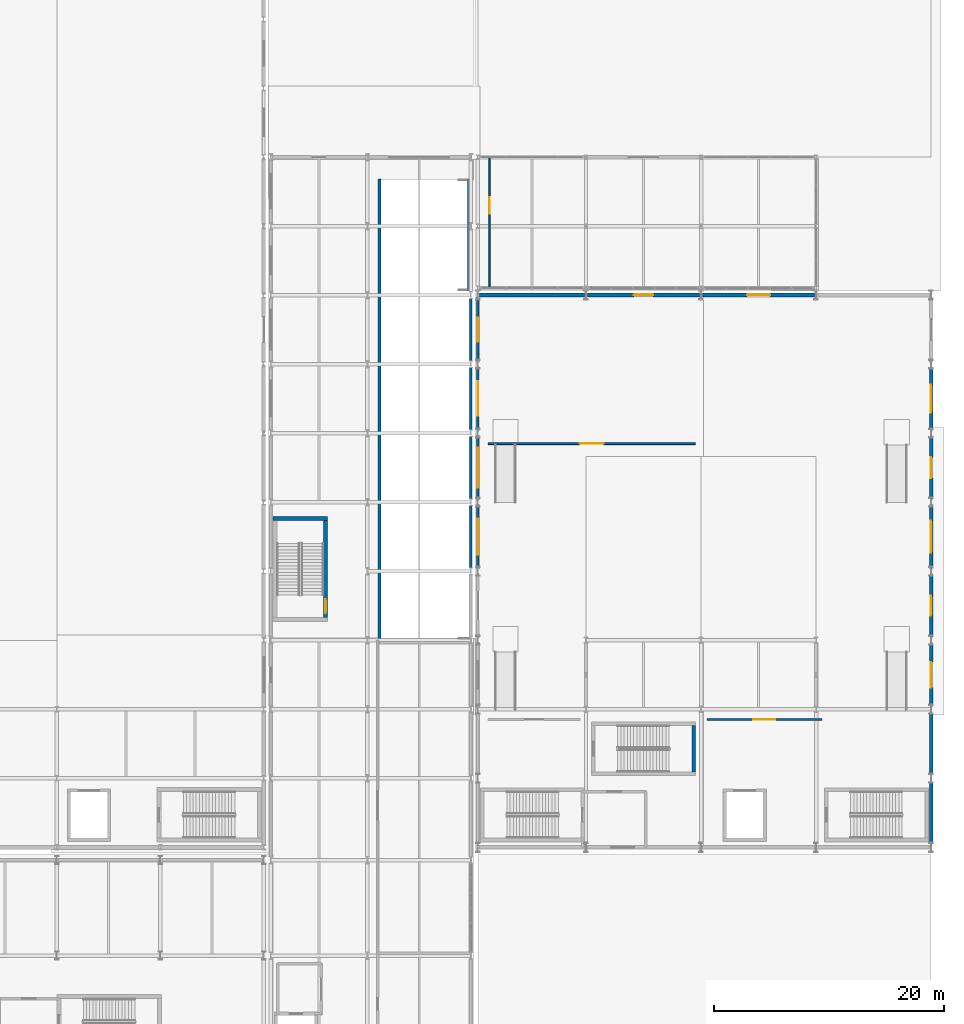
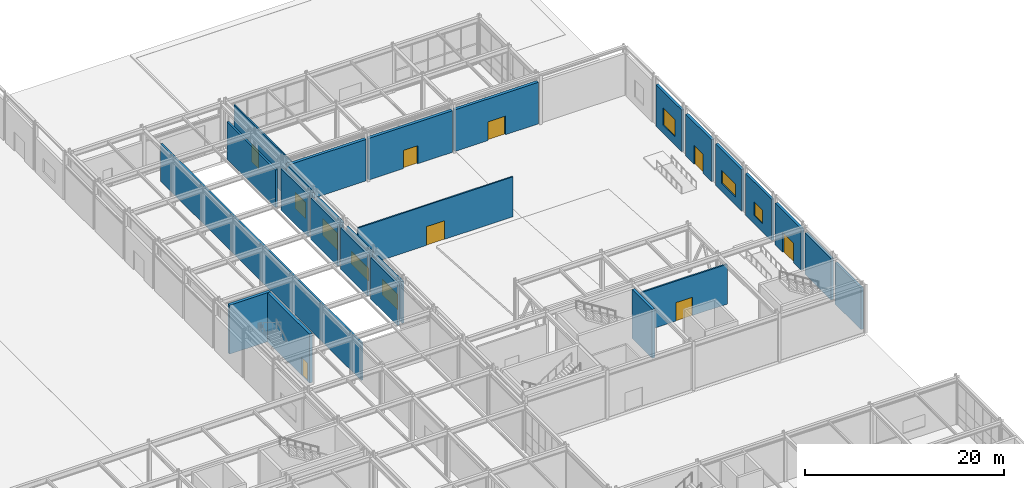
# One storey, part 126 of 146: 26 walls, 8 doors, 7 windows, 15 openings.
"""IFC4 building model written with IfcOpenShell, lengths in metres."""

from ifc_helpers import new_model, si_unit, direction, frame, frame_2d, origin, place, context, subcontext, project, spatial, rectangle, extrude, material, layer, layer_set, type_object, element, fill, save


model = new_model("IFC4")

# Units and contexts
model_context = context("Model", 3, precision=1e-05, world=origin(), true_north=direction((0.0, 1.0)))
body_context = subcontext(model_context, "Body", "Model", "MODEL_VIEW")
ifc_project = project(units=[si_unit("LENGTHUNIT", "METRE"), si_unit("AREAUNIT", "SQUARE_METRE"), si_unit("VOLUMEUNIT", "CUBIC_METRE"), si_unit("PLANEANGLEUNIT", "RADIAN"), si_unit("MASSUNIT", "GRAM", prefix="KILO")], contexts=[model_context])

# Site, building, storey
site_placement = place(None, origin())
site = spatial("IfcSite", under=ifc_project, at=site_placement, CompositionType="ELEMENT")
building_placement = place(site_placement, origin())
building = spatial("IfcBuilding", under=site, at=building_placement, Name="Kaldris Quays Convention Centre", CompositionType="ELEMENT")
storey_placement = place(building_placement, origin())
storey = spatial("IfcBuildingStorey", under=building, at=storey_placement, Name="L00", CompositionType="ELEMENT", Elevation=0.0)

# Wall
ifc_material_1 = material(Name="Concrete C35/45", Category="concrete")
ifc_layer_1 = layer(ifc_material_1, 0.344970703125)
ifc_layer_set_1 = layer_set([ifc_layer_1], Name="Concrete C35/45")
wall_type_1 = type_object("IfcWallType", Name="EXTERIOR WALL EW01", PredefinedType="STANDARD", material=ifc_layer_set_1)
wall_1_placement = place(storey_placement, frame((164.74609375, 104.0, 0.0), z_axis=(0.0, 0.0, 1.0), x_axis=(1.0, 0.0, 0.0)))
element("IfcWall", 1, at=wall_1_placement, inside=storey, type_object=wall_type_1, Name="L00 Exterior Wall EW01 93", PredefinedType="STANDARD", context=body_context, shape_type="SweptSolid", body=[
    extrude(rectangle(XDim=9.10791015625, YDim=0.344970703125, at=frame_2d((4.553955078125, 0.0))), origin(), (0.0, 0.0, 1.0), 5.10009765625),
])

# Wall, opening, door
wall_2_placement = place(storey_placement, frame((174.14599609375, 104.0, 0.0), z_axis=(0.0, 0.0, 1.0), x_axis=(1.0, 0.0, 0.0)))
wall_2 = element("IfcWall", 2, at=wall_2_placement, inside=storey, type_object=wall_type_1, Name="L00 Exterior Wall EW01 95", PredefinedType="STANDARD", context=body_context, shape_type="SweptSolid", body=[
    extrude(rectangle(XDim=9.7080078125, YDim=0.344970703125, at=frame_2d((4.85400390625, 0.0))), origin(), (0.0, 0.0, 1.0), 5.10009765625),
])
opening_1_placement = place(wall_2_placement, frame((4.013916015625, 0.0, 0.0)))
opening_1 = element("IfcOpeningElement", 3, at=opening_1_placement, cuts=wall_2, Name="Opening ED10", PredefinedType="OPENING", context=body_context, shape_type="SweptSolid", body=[
    extrude(rectangle(XDim=1.679931640625, YDim=2.219970703125, at=frame_2d((0.83984375, 1.10986328125))), frame((0.0, 0.1826171875, 0.0), z_axis=(0.0, -1.0, 0.0), x_axis=(1.0, 0.0, 0.0)), (0.0, 0.0, 1.0), 0.364990234375),
])
ifc_material_2 = material(Name="Thermally broken anodized aluminium and laminated safety glass", Category="aluminium")
door_type_1 = type_object("IfcDoorType", Name="EXTERIOR DOOR ED10", OperationType="DOUBLE_DOOR_SINGLE_SWING", PredefinedType="DOOR", material=ifc_material_2)
door_1_placement = place(opening_1_placement, origin())
door_1 = element("IfcDoor", 4, at=door_1_placement, inside=storey, type_object=door_type_1, Name="L00 Exterior Exit Door ED10 23", OperationType="DOUBLE_DOOR_SINGLE_SWING", OverallHeight=2.219970703125, OverallWidth=1.679931640625, PredefinedType="DOOR", context=body_context, shape_type="SweptSolid", body=[
    extrude(rectangle(XDim=1.679931640625, YDim=2.219970703125, at=frame_2d((0.83984375, 1.10986328125))), frame((0.0, 0.02490234375, 0.0), z_axis=(0.0, -1.0, 0.0), x_axis=(1.0, 0.0, 0.0)), (0.0, 0.0, 1.0), 0.050048828125),
])
fill(opening_1, door_1)

wall_3_placement = place(storey_placement, frame((184.14599609375, 104.0, 0.0), z_axis=(0.0, 0.0, 1.0), x_axis=(1.0, 0.0, 0.0)))
wall_3 = element("IfcWall", 5, at=wall_3_placement, inside=storey, type_object=wall_type_1, Name="L00 Exterior Wall EW01 97", PredefinedType="STANDARD", context=body_context, shape_type="SweptSolid", body=[
    extrude(rectangle(XDim=9.7080078125, YDim=0.344970703125, at=frame_2d((4.85400390625, 0.0))), origin(), (0.0, 0.0, 1.0), 5.10009765625),
])
opening_2_placement = place(wall_3_placement, frame((3.85400390625, 0.0, 0.0)))
opening_2 = element("IfcOpeningElement", 6, at=opening_2_placement, cuts=wall_3, Name="Opening ED01", PredefinedType="OPENING", context=body_context, shape_type="SweptSolid", body=[
    extrude(rectangle(XDim=2.0, YDim=2.300048828125, at=frame_2d((1.0, 1.14990234375))), frame((0.0, 0.1826171875, 0.0), z_axis=(0.0, -1.0, 0.0), x_axis=(1.0, 0.0, 0.0)), (0.0, 0.0, 1.0), 0.364990234375),
])
door_type_2 = type_object("IfcDoorType", Name="EXTERIOR DOOR ED01", OperationType="DOUBLE_DOOR_SINGLE_SWING", PredefinedType="DOOR", material=ifc_material_2)
door_2_placement = place(opening_2_placement, origin())
door_2 = element("IfcDoor", 7, at=door_2_placement, inside=storey, type_object=door_type_2, Name="L00 Exterior Exit Door ED01 24", OperationType="DOUBLE_DOOR_SINGLE_SWING", OverallHeight=2.300048828125, OverallWidth=2.0, PredefinedType="DOOR", context=body_context, shape_type="SweptSolid", body=[
    extrude(rectangle(XDim=2.0, YDim=2.300048828125, at=frame_2d((1.0, 1.14990234375))), frame((0.0, 0.02490234375, 0.0), z_axis=(0.0, -1.0, 0.0), x_axis=(1.0, 0.0, 0.0)), (0.0, 0.0, 1.0), 0.050048828125),
])
fill(opening_2, door_2)

ifc_layer_2 = layer(ifc_material_1, 0.31201171875)
ifc_layer_set_2 = layer_set([ifc_layer_2], Name="Concrete C35/45")
wall_type_2 = type_object("IfcWallType", Name="EXTERIOR WALL EW02", PredefinedType="STANDARD", material=ifc_layer_set_2)
wall_4_placement = place(storey_placement, frame((204.0, 68.39599609375, 0.0), z_axis=(0.0, 0.0, 1.0), x_axis=(0.0, 1.0, 0.0)))
wall_4 = element("IfcWall", 8, at=wall_4_placement, inside=storey, type_object=wall_type_2, Name="L00 Exterior Wall EW02 104", PredefinedType="STANDARD", context=body_context, shape_type="SweptSolid", body=[
    extrude(rectangle(XDim=5.2080078125, YDim=0.31201171875, at=frame_2d((2.60400390625, 0.0))), origin(), (0.0, 0.0, 1.0), 5.10009765625),
])
opening_3_placement = place(wall_4_placement, frame((1.50390625, 0.0, 0.0)))
opening_3 = element("IfcOpeningElement", 9, at=opening_3_placement, cuts=wall_4, Name="Opening ED02", PredefinedType="OPENING", context=body_context, shape_type="SweptSolid", body=[
    extrude(rectangle(XDim=2.199951171875, YDim=2.39990234375, at=frame_2d((1.10009765625, 1.199951171875))), frame((0.0, 0.166015625, 0.0), z_axis=(0.0, -1.0, 0.0), x_axis=(1.0, 0.0, 0.0)), (0.0, 0.0, 1.0), 0.33203125),
])
door_type_3 = type_object("IfcDoorType", Name="EXTERIOR DOOR ED02", OperationType="DOUBLE_DOOR_SINGLE_SWING", PredefinedType="DOOR", material=ifc_material_2)
door_3_placement = place(opening_3_placement, frame((2.199951171875, 0.0, 0.0), z_axis=(0.0, 0.0, 1.0), x_axis=(-1.0, 0.0, 0.0)))
door_3 = element("IfcDoor", 10, at=door_3_placement, inside=storey, type_object=door_type_3, Name="L00 Exterior Exit Door ED02 25", OperationType="DOUBLE_DOOR_SINGLE_SWING", OverallHeight=2.39990234375, OverallWidth=2.199951171875, PredefinedType="DOOR", context=body_context, shape_type="SweptSolid", body=[
    extrude(rectangle(XDim=2.199951171875, YDim=2.39990234375, at=frame_2d((1.10009765625, 1.199951171875))), frame((0.0, 0.02490234375, 0.0), z_axis=(0.0, -1.0, 0.0), x_axis=(1.0, 0.0, 0.0)), (0.0, 0.0, 1.0), 0.050048828125),
])
fill(opening_3, door_3)

wall_5_placement = place(storey_placement, frame((204.0, 86.39599609375, 0.0), z_axis=(0.0, 0.0, 1.0), x_axis=(0.0, 1.0, 0.0)))
wall_5 = element("IfcWall", 11, at=wall_5_placement, inside=storey, type_object=wall_type_2, Name="L00 Exterior Wall EW02 110", PredefinedType="STANDARD", context=body_context, shape_type="SweptSolid", body=[
    extrude(rectangle(XDim=5.2080078125, YDim=0.31201171875, at=frame_2d((2.60400390625, 0.0))), origin(), (0.0, 0.0, 1.0), 5.10009765625),
])
opening_4_placement = place(wall_5_placement, frame((1.7041015625, 0.0, 0.0)))
opening_4 = element("IfcOpeningElement", 12, at=opening_4_placement, cuts=wall_5, Name="Opening ED04", PredefinedType="OPENING", context=body_context, shape_type="SweptSolid", body=[
    extrude(rectangle(XDim=1.800048828125, YDim=2.300048828125, at=frame_2d((0.89990234375, 1.14990234375))), frame((0.0, 0.166015625, 0.0), z_axis=(0.0, -1.0, 0.0), x_axis=(1.0, 0.0, 0.0)), (0.0, 0.0, 1.0), 0.33203125),
])
door_type_4 = type_object("IfcDoorType", Name="EXTERIOR DOOR ED04", OperationType="DOUBLE_DOOR_SINGLE_SWING", PredefinedType="DOOR", material=ifc_material_2)
door_4_placement = place(opening_4_placement, frame((1.800048828125, 0.0, 0.0), z_axis=(0.0, 0.0, 1.0), x_axis=(-1.0, 0.0, 0.0)))
door_4 = element("IfcDoor", 13, at=door_4_placement, inside=storey, type_object=door_type_4, Name="L00 Exterior Exit Door ED04 27", OperationType="DOUBLE_DOOR_SINGLE_SWING", OverallHeight=2.300048828125, OverallWidth=1.800048828125, PredefinedType="DOOR", context=body_context, shape_type="SweptSolid", body=[
    extrude(rectangle(XDim=1.800048828125, YDim=2.300048828125, at=frame_2d((0.89990234375, 1.14990234375))), frame((0.0, 0.02490234375, 0.0), z_axis=(0.0, -1.0, 0.0), x_axis=(1.0, 0.0, 0.0)), (0.0, 0.0, 1.0), 0.050048828125),
])
fill(opening_4, door_4)

# Walls
ifc_material_3 = material(Name="Precast concrete C40/50", Category="concrete")
ifc_layer_3 = layer(ifc_material_3, 0.2880859375)
ifc_layer_set_3 = layer_set([ifc_layer_3], Name="Precast concrete C40/50")
wall_type_3 = type_object("IfcWallType", Name="EXTERIOR WALL EW03", PredefinedType="STANDARD", material=ifc_layer_set_3)
for number, where, z_axis, x_axis, name in (
    (14, (204.0, 56.39599609375, 0.0), (0.0, 0.0, 1.0), (0.0, 1.0, 0.0), "L00 Exterior Wall EW03 100"),
    (15, (204.0, 62.39599609375, 0.0), (0.0, 0.0, 1.0), (0.0, 1.0, 0.0), "L00 Exterior Wall EW03 102"),
):
    element("IfcWall", number, at=place(storey_placement, frame(where, z_axis=z_axis, x_axis=x_axis)), inside=storey, type_object=wall_type_3, Name=name, PredefinedType="STANDARD", context=body_context, shape_type="SweptSolid", body=[
        extrude(rectangle(XDim=5.2080078125, YDim=0.2880859375, at=frame_2d((2.60400390625, 0.0))), origin(), (0.0, 0.0, 1.0), 5.10009765625),
    ])

# Wall, opening, window
wall_6_placement = place(storey_placement, frame((204.0, 74.39599609375, 0.0), z_axis=(0.0, 0.0, 1.0), x_axis=(0.0, 1.0, 0.0)))
wall_6 = element("IfcWall", 16, at=wall_6_placement, inside=storey, type_object=wall_type_3, Name="L00 Exterior Wall EW03 106", PredefinedType="STANDARD", context=body_context, shape_type="SweptSolid", body=[
    extrude(rectangle(XDim=5.2080078125, YDim=0.2880859375, at=frame_2d((2.60400390625, 0.0))), origin(), (0.0, 0.0, 1.0), 5.10009765625),
])
opening_5_placement = place(wall_6_placement, frame((1.72900390625, 0.0, 1.0)))
opening_5 = element("IfcOpeningElement", 17, at=opening_5_placement, cuts=wall_6, Name="Opening WN30", PredefinedType="OPENING", context=body_context, shape_type="SweptSolid", body=[
    extrude(rectangle(XDim=1.75, YDim=1.699951171875, at=frame_2d((0.875, 0.85009765625))), frame((0.0, 0.154052734375, 0.0), z_axis=(0.0, -1.0, 0.0), x_axis=(1.0, 0.0, 0.0)), (0.0, 0.0, 1.0), 0.30810546875),
])
ifc_material_4 = material(Name="Triple low-E insulated glazing", Category="glass")
window_type_1 = type_object("IfcWindowType", Name="TRIPLE GLAZED WINDOW WN30", PartitioningType="SINGLE_PANEL", PredefinedType="WINDOW", material=ifc_material_4)
window_1_placement = place(opening_5_placement, origin())
window_1 = element("IfcWindow", 18, at=window_1_placement, inside=storey, type_object=window_type_1, Name="L00 Exterior Window WN30 28", OverallHeight=1.699951171875, OverallWidth=1.75, PartitioningType="SINGLE_PANEL", PredefinedType="WINDOW", context=body_context, shape_type="SweptSolid", body=[
    extrude(rectangle(XDim=1.75, YDim=1.699951171875, at=frame_2d((0.875, 0.85009765625))), frame((0.0, 0.030029296875, 0.0), z_axis=(0.0, -1.0, 0.0), x_axis=(1.0, 0.0, 0.0)), (0.0, 0.0, 1.0), 0.06005859375),
])
fill(opening_5, window_1)

wall_7_placement = place(storey_placement, frame((204.0, 80.39599609375, 0.0), z_axis=(0.0, 0.0, 1.0), x_axis=(0.0, 1.0, 0.0)))
wall_7 = element("IfcWall", 19, at=wall_7_placement, inside=storey, type_object=wall_type_3, Name="L00 Exterior Wall EW03 108", PredefinedType="STANDARD", context=body_context, shape_type="SweptSolid", body=[
    extrude(rectangle(XDim=5.2080078125, YDim=0.2880859375, at=frame_2d((2.60400390625, 0.0))), origin(), (0.0, 0.0, 1.0), 5.10009765625),
])
opening_6_placement = place(wall_7_placement, frame((1.2041015625, 0.0, 1.0)))
opening_6 = element("IfcOpeningElement", 20, at=opening_6_placement, cuts=wall_7, Name="Opening WN32", PredefinedType="OPENING", context=body_context, shape_type="SweptSolid", body=[
    extrude(rectangle(XDim=2.800048828125, YDim=1.60009765625, at=frame_2d((1.39990234375, 0.800048828125))), frame((0.0, 0.154052734375, 0.0), z_axis=(0.0, -1.0, 0.0), x_axis=(1.0, 0.0, 0.0)), (0.0, 0.0, 1.0), 0.30810546875),
])
window_type_2 = type_object("IfcWindowType", Name="TRIPLE GLAZED WINDOW WN32", PartitioningType="SINGLE_PANEL", PredefinedType="WINDOW", material=ifc_material_4)
window_2_placement = place(opening_6_placement, origin())
window_2 = element("IfcWindow", 21, at=window_2_placement, inside=storey, type_object=window_type_2, Name="L00 Exterior Window WN32 30", OverallHeight=1.60009765625, OverallWidth=2.800048828125, PartitioningType="SINGLE_PANEL", PredefinedType="WINDOW", context=body_context, shape_type="SweptSolid", body=[
    extrude(rectangle(XDim=2.800048828125, YDim=1.60009765625, at=frame_2d((1.39990234375, 0.800048828125))), frame((0.0, 0.030029296875, 0.0), z_axis=(0.0, -1.0, 0.0), x_axis=(1.0, 0.0, 0.0)), (0.0, 0.0, 1.0), 0.06005859375),
])
fill(opening_6, window_2)

wall_8_placement = place(storey_placement, frame((204.0, 92.39599609375, 0.0), z_axis=(0.0, 0.0, 1.0), x_axis=(0.0, 1.0, 0.0)))
wall_8 = element("IfcWall", 22, at=wall_8_placement, inside=storey, type_object=wall_type_3, Name="L00 Exterior Wall EW03 112", PredefinedType="STANDARD", context=body_context, shape_type="SweptSolid", body=[
    extrude(rectangle(XDim=5.2080078125, YDim=0.2880859375, at=frame_2d((2.60400390625, 0.0))), origin(), (0.0, 0.0, 1.0), 5.10009765625),
])
opening_7_placement = place(wall_8_placement, frame((1.404052734375, 0.0, 1.0)))
opening_7 = element("IfcOpeningElement", 23, at=opening_7_placement, cuts=wall_8, Name="Opening WN01", PredefinedType="OPENING", context=body_context, shape_type="SweptSolid", body=[
    extrude(rectangle(XDim=2.39990234375, YDim=2.10009765625, at=frame_2d((1.199951171875, 1.050048828125))), frame((0.0, 0.154052734375, 0.0), z_axis=(0.0, -1.0, 0.0), x_axis=(1.0, 0.0, 0.0)), (0.0, 0.0, 1.0), 0.30810546875),
])
window_type_3 = type_object("IfcWindowType", Name="TRIPLE GLAZED WINDOW WN01", PartitioningType="SINGLE_PANEL", PredefinedType="WINDOW", material=ifc_material_4)
window_3_placement = place(opening_7_placement, origin())
window_3 = element("IfcWindow", 24, at=window_3_placement, inside=storey, type_object=window_type_3, Name="L00 Exterior Window WN01 33", OverallHeight=2.10009765625, OverallWidth=2.39990234375, PartitioningType="SINGLE_PANEL", PredefinedType="WINDOW", context=body_context, shape_type="SweptSolid", body=[
    extrude(rectangle(XDim=2.39990234375, YDim=2.10009765625, at=frame_2d((1.199951171875, 1.050048828125))), frame((0.0, 0.030029296875, 0.0), z_axis=(0.0, -1.0, 0.0), x_axis=(1.0, 0.0, 0.0)), (0.0, 0.0, 1.0), 0.06005859375),
])
fill(opening_7, window_3)

# Walls
ifc_material_5 = material(Name="Anodized aluminium insulated cassette", Category="aluminium")
ifc_layer_4 = layer(ifc_material_5, 0.221923828125)
ifc_layer_set_4 = layer_set([ifc_layer_4], Name="Anodized aluminium insulated cassette")
wall_type_4 = type_object("IfcWallType", Name="EXTERIOR WALL EW06", PredefinedType="STANDARD", material=ifc_layer_set_4)
for number, where, z_axis, x_axis, name in (
    (25, (164.0, 80.2958984375, 0.0), (0.0, 0.0, 1.0), (0.0, 1.0, 0.0), "L00 Exterior Wall EW06 277"),
    (26, (164.0, 86.2958984375, 0.0), (0.0, 0.0, 1.0), (0.0, 1.0, 0.0), "L00 Exterior Wall EW06 279"),
    (27, (164.0, 92.2958984375, 0.0), (0.0, 0.0, 1.0), (0.0, 1.0, 0.0), "L00 Exterior Wall EW06 281"),
    (28, (164.0, 98.2958984375, 0.0), (0.0, 0.0, 1.0), (0.0, 1.0, 0.0), "L00 Exterior Wall EW06 283"),
):
    element("IfcWall", number, at=place(storey_placement, frame(where, z_axis=z_axis, x_axis=x_axis)), inside=storey, type_object=wall_type_4, Name=name, PredefinedType="STANDARD", context=body_context, shape_type="SweptSolid", body=[
        extrude(rectangle(XDim=5.408203125, YDim=0.221923828125, at=frame_2d((2.7041015625, 0.0))), origin(), (0.0, 0.0, 1.0), 5.097900390625),
    ])

# Wall, opening, window
ifc_layer_5 = layer(ifc_material_5, 0.201904296875)
ifc_layer_set_5 = layer_set([ifc_layer_5], Name="Anodized aluminium insulated cassette")
wall_type_5 = type_object("IfcWallType", Name="EXTERIOR WALL EW07", PredefinedType="STANDARD", material=ifc_layer_set_5)
wall_9_placement = place(storey_placement, frame((164.60009765625, 80.39599609375, 0.0), z_axis=(0.0, 0.0, 1.0), x_axis=(0.0, 1.0, 0.0)))
wall_9 = element("IfcWall", 29, at=wall_9_placement, inside=storey, type_object=wall_type_5, Name="L00 Exterior Wall EW07 109", PredefinedType="STANDARD", context=body_context, shape_type="SweptSolid", body=[
    extrude(rectangle(XDim=5.2080078125, YDim=0.201904296875, at=frame_2d((2.60400390625, 0.0))), origin(), (0.0, 0.0, 1.0), 5.10009765625),
])
opening_8_placement = place(wall_9_placement, frame((1.053955078125, 0.0, 1.0)))
opening_8 = element("IfcOpeningElement", 30, at=opening_8_placement, cuts=wall_9, Name="Opening WN33", PredefinedType="OPENING", context=body_context, shape_type="SweptSolid", body=[
    extrude(rectangle(XDim=3.10009765625, YDim=1.89990234375, at=frame_2d((1.550048828125, 0.949951171875))), frame((0.0, 0.11083984375, 0.0), z_axis=(0.0, -1.0, 0.0), x_axis=(1.0, 0.0, 0.0)), (0.0, 0.0, 1.0), 0.221923828125),
])
window_type_4 = type_object("IfcWindowType", Name="TRIPLE GLAZED WINDOW WN33", PartitioningType="SINGLE_PANEL", PredefinedType="WINDOW", material=ifc_material_4)
window_4_placement = place(opening_8_placement, origin())
window_4 = element("IfcWindow", 31, at=window_4_placement, inside=storey, type_object=window_type_4, Name="L00 Exterior Window WN33 31", OverallHeight=1.89990234375, OverallWidth=3.10009765625, PartitioningType="SINGLE_PANEL", PredefinedType="WINDOW", context=body_context, shape_type="SweptSolid", body=[
    extrude(rectangle(XDim=3.10009765625, YDim=1.89990234375, at=frame_2d((1.550048828125, 0.949951171875))), frame((0.0, 0.030029296875, 0.0), z_axis=(0.0, -1.0, 0.0), x_axis=(1.0, 0.0, 0.0)), (0.0, 0.0, 1.0), 0.06005859375),
])
fill(opening_8, window_4)

wall_10_placement = place(storey_placement, frame((164.60009765625, 86.39599609375, 0.0), z_axis=(0.0, 0.0, 1.0), x_axis=(0.0, 1.0, 0.0)))
wall_10 = element("IfcWall", 32, at=wall_10_placement, inside=storey, type_object=wall_type_5, Name="L00 Exterior Wall EW07 111", PredefinedType="STANDARD", context=body_context, shape_type="SweptSolid", body=[
    extrude(rectangle(XDim=5.2080078125, YDim=0.201904296875, at=frame_2d((2.60400390625, 0.0))), origin(), (0.0, 0.0, 1.0), 5.10009765625),
])
opening_9_placement = place(wall_10_placement, frame((0.85400390625, 0.0, 1.0)))
opening_9 = element("IfcOpeningElement", 33, at=opening_9_placement, cuts=wall_10, Name="Opening WN34", PredefinedType="OPENING", context=body_context, shape_type="SweptSolid", body=[
    extrude(rectangle(XDim=3.5, YDim=1.550048828125, at=frame_2d((1.75, 0.77490234375))), frame((0.0, 0.11083984375, 0.0), z_axis=(0.0, -1.0, 0.0), x_axis=(1.0, 0.0, 0.0)), (0.0, 0.0, 1.0), 0.221923828125),
])
window_type_5 = type_object("IfcWindowType", Name="TRIPLE GLAZED WINDOW WN34", PartitioningType="SINGLE_PANEL", PredefinedType="WINDOW", material=ifc_material_4)
window_5_placement = place(opening_9_placement, origin())
window_5 = element("IfcWindow", 34, at=window_5_placement, inside=storey, type_object=window_type_5, Name="L00 Exterior Window WN34 32", OverallHeight=1.550048828125, OverallWidth=3.5, PartitioningType="SINGLE_PANEL", PredefinedType="WINDOW", context=body_context, shape_type="SweptSolid", body=[
    extrude(rectangle(XDim=3.5, YDim=1.550048828125, at=frame_2d((1.75, 0.77490234375))), frame((0.0, 0.030029296875, 0.0), z_axis=(0.0, -1.0, 0.0), x_axis=(1.0, 0.0, 0.0)), (0.0, 0.0, 1.0), 0.06005859375),
])
fill(opening_9, window_5)

wall_11_placement = place(storey_placement, frame((164.60009765625, 92.39599609375, 0.0), z_axis=(0.0, 0.0, 1.0), x_axis=(0.0, 1.0, 0.0)))
wall_11 = element("IfcWall", 35, at=wall_11_placement, inside=storey, type_object=wall_type_5, Name="L00 Exterior Wall EW07 113", PredefinedType="STANDARD", context=body_context, shape_type="SweptSolid", body=[
    extrude(rectangle(XDim=5.2080078125, YDim=0.201904296875, at=frame_2d((2.60400390625, 0.0))), origin(), (0.0, 0.0, 1.0), 5.10009765625),
])
opening_10_placement = place(wall_11_placement, frame((1.10400390625, 0.0, 1.0)))
opening_10 = element("IfcOpeningElement", 36, at=opening_10_placement, cuts=wall_11, Name="Opening WN02", PredefinedType="OPENING", context=body_context, shape_type="SweptSolid", body=[
    extrude(rectangle(XDim=3.0, YDim=2.10009765625, at=frame_2d((1.5, 1.050048828125))), frame((0.0, 0.11083984375, 0.0), z_axis=(0.0, -1.0, 0.0), x_axis=(1.0, 0.0, 0.0)), (0.0, 0.0, 1.0), 0.221923828125),
])
window_type_6 = type_object("IfcWindowType", Name="TRIPLE GLAZED WINDOW WN02", PartitioningType="SINGLE_PANEL", PredefinedType="WINDOW", material=ifc_material_4)
window_6_placement = place(opening_10_placement, origin())
window_6 = element("IfcWindow", 37, at=window_6_placement, inside=storey, type_object=window_type_6, Name="L00 Exterior Window WN02 34", OverallHeight=2.10009765625, OverallWidth=3.0, PartitioningType="SINGLE_PANEL", PredefinedType="WINDOW", context=body_context, shape_type="SweptSolid", body=[
    extrude(rectangle(XDim=3.0, YDim=2.10009765625, at=frame_2d((1.5, 1.050048828125))), frame((0.0, 0.030029296875, 0.0), z_axis=(0.0, -1.0, 0.0), x_axis=(1.0, 0.0, 0.0)), (0.0, 0.0, 1.0), 0.06005859375),
])
fill(opening_10, window_6)

wall_12_placement = place(storey_placement, frame((164.60009765625, 98.39599609375, 0.0), z_axis=(0.0, 0.0, 1.0), x_axis=(0.0, 1.0, 0.0)))
wall_12 = element("IfcWall", 38, at=wall_12_placement, inside=storey, type_object=wall_type_5, Name="L00 Exterior Wall EW07 115", PredefinedType="STANDARD", context=body_context, shape_type="SweptSolid", body=[
    extrude(rectangle(XDim=5.2080078125, YDim=0.201904296875, at=frame_2d((2.60400390625, 0.0))), origin(), (0.0, 0.0, 1.0), 5.10009765625),
])
opening_11_placement = place(wall_12_placement, frame((1.553955078125, 0.0, 1.0)))
opening_11 = element("IfcOpeningElement", 39, at=opening_11_placement, cuts=wall_12, Name="Opening WN04", PredefinedType="OPENING", context=body_context, shape_type="SweptSolid", body=[
    extrude(rectangle(XDim=2.10009765625, YDim=1.949951171875, at=frame_2d((1.050048828125, 0.97509765625))), frame((0.0, 0.11083984375, 0.0), z_axis=(0.0, -1.0, 0.0), x_axis=(1.0, 0.0, 0.0)), (0.0, 0.0, 1.0), 0.221923828125),
])
window_type_7 = type_object("IfcWindowType", Name="TRIPLE GLAZED WINDOW WN04", PartitioningType="SINGLE_PANEL", PredefinedType="WINDOW", material=ifc_material_4)
window_7_placement = place(opening_11_placement, origin())
window_7 = element("IfcWindow", 40, at=window_7_placement, inside=storey, type_object=window_type_7, Name="L00 Exterior Window WN04 36", OverallHeight=1.949951171875, OverallWidth=2.10009765625, PartitioningType="SINGLE_PANEL", PredefinedType="WINDOW", context=body_context, shape_type="SweptSolid", body=[
    extrude(rectangle(XDim=2.10009765625, YDim=1.949951171875, at=frame_2d((1.050048828125, 0.97509765625))), frame((0.0, 0.030029296875, 0.0), z_axis=(0.0, -1.0, 0.0), x_axis=(1.0, 0.0, 0.0)), (0.0, 0.0, 1.0), 0.06005859375),
])
fill(opening_11, window_7)

# Wall, opening, door
ifc_material_6 = material(Name="Acoustic gypsum stud partition", Category="gypsum")
ifc_layer_6 = layer(ifc_material_6, 0.177978515625)
ifc_layer_set_6 = layer_set([ifc_layer_6], Name="Acoustic gypsum stud partition")
wall_type_6 = type_object("IfcWallType", Name="INTERIOR WALL IW02", PredefinedType="PARTITIONING", material=ifc_layer_set_6)
wall_13_placement = place(storey_placement, frame((184.5, 67.10009765625, 0.0), z_axis=(0.0, 0.0, 1.0), x_axis=(1.0, 0.0, 0.0)))
wall_13 = element("IfcWall", 41, at=wall_13_placement, inside=storey, type_object=wall_type_6, Name="L00 Interior Wall IW02 26", PredefinedType="PARTITIONING", context=body_context, shape_type="SweptSolid", body=[
    extrude(rectangle(XDim=10.0, YDim=0.177978515625, at=frame_2d((5.0, 0.0))), origin(), (0.0, 0.0, 1.0), 4.89990234375),
])
opening_12_placement = place(wall_13_placement, frame((4.050048828125, 0.0, 0.0)))
opening_12 = element("IfcOpeningElement", 42, at=opening_12_placement, cuts=wall_13, Name="Opening ID09", PredefinedType="OPENING", context=body_context, shape_type="SweptSolid", body=[
    extrude(rectangle(XDim=1.89990234375, YDim=2.260009765625, at=frame_2d((0.949951171875, 1.1298828125))), frame((0.0, 0.09912109375, 0.0), z_axis=(0.0, -1.0, 0.0), x_axis=(1.0, 0.0, 0.0)), (0.0, 0.0, 1.0), 0.197998046875),
])
ifc_material_7 = material(Name="Timber acoustic double door", Category="wood")
door_type_5 = type_object("IfcDoorType", Name="INTERIOR DOOR ID09", OperationType="DOUBLE_DOOR_SINGLE_SWING", PredefinedType="DOOR", material=ifc_material_7)
door_5_placement = place(opening_12_placement, frame((1.89990234375, 0.0, 0.0), z_axis=(0.0, 0.0, 1.0), x_axis=(-1.0, 0.0, 0.0)))
door_5 = element("IfcDoor", 43, at=door_5_placement, inside=storey, type_object=door_type_5, Name="L00 Interior Door ID09 19", OperationType="DOUBLE_DOOR_SINGLE_SWING", OverallHeight=2.260009765625, OverallWidth=1.89990234375, PredefinedType="DOOR", context=body_context, shape_type="SweptSolid", body=[
    extrude(rectangle(XDim=1.89990234375, YDim=2.260009765625, at=frame_2d((0.949951171875, 1.1298828125))), frame((0.0, 0.02490234375, 0.0), z_axis=(0.0, -1.0, 0.0), x_axis=(1.0, 0.0, 0.0)), (0.0, 0.0, 1.0), 0.050048828125),
])
fill(opening_12, door_5)

ifc_layer_7 = layer(ifc_material_6, 0.162109375)
ifc_layer_set_7 = layer_set([ifc_layer_7], Name="Acoustic gypsum stud partition")
wall_type_7 = type_object("IfcWallType", Name="INTERIOR WALL IW03", PredefinedType="PARTITIONING", material=ifc_layer_set_7)
wall_14_placement = place(storey_placement, frame((165.5, 91.10009765625, 0.0), z_axis=(0.0, 0.0, 1.0), x_axis=(1.0, 0.0, 0.0)))
wall_14 = element("IfcWall", 44, at=wall_14_placement, inside=storey, type_object=wall_type_7, Name="L00 Interior Wall IW03 27", PredefinedType="PARTITIONING", context=body_context, shape_type="SweptSolid", body=[
    extrude(rectangle(XDim=18.0, YDim=0.162109375, at=frame_2d((9.0, 0.0))), origin(), (0.0, 0.0, 1.0), 4.89990234375),
])
opening_13_placement = place(wall_14_placement, frame((7.949951171875, 0.0, 0.0)))
opening_13 = element("IfcOpeningElement", 45, at=opening_13_placement, cuts=wall_14, Name="Opening ID10", PredefinedType="OPENING", context=body_context, shape_type="SweptSolid", body=[
    extrude(rectangle(XDim=2.10009765625, YDim=2.300048828125, at=frame_2d((1.050048828125, 1.14990234375))), frame((0.0, 0.091064453125, 0.0), z_axis=(0.0, -1.0, 0.0), x_axis=(1.0, 0.0, 0.0)), (0.0, 0.0, 1.0), 0.18212890625),
])
ifc_material_8 = material(Name="Glazed anodized aluminium foyer door", Category="aluminium")
door_type_6 = type_object("IfcDoorType", Name="INTERIOR DOOR ID10", OperationType="DOUBLE_DOOR_SINGLE_SWING", PredefinedType="DOOR", material=ifc_material_8)
door_6_placement = place(opening_13_placement, frame((2.10009765625, 0.0, 0.0), z_axis=(0.0, 0.0, 1.0), x_axis=(-1.0, 0.0, 0.0)))
door_6 = element("IfcDoor", 46, at=door_6_placement, inside=storey, type_object=door_type_6, Name="L00 Interior Door ID10 20", OperationType="DOUBLE_DOOR_SINGLE_SWING", OverallHeight=2.300048828125, OverallWidth=2.10009765625, PredefinedType="DOOR", context=body_context, shape_type="SweptSolid", body=[
    extrude(rectangle(XDim=2.10009765625, YDim=2.300048828125, at=frame_2d((1.050048828125, 1.14990234375))), frame((0.0, 0.02490234375, 0.0), z_axis=(0.0, -1.0, 0.0), x_axis=(1.0, 0.0, 0.0)), (0.0, 0.0, 1.0), 0.050048828125),
])
fill(opening_13, door_6)

ifc_layer_8 = layer(ifc_material_6, 0.14794921875)
ifc_layer_set_8 = layer_set([ifc_layer_8], Name="Acoustic gypsum stud partition")
wall_type_8 = type_object("IfcWallType", Name="INTERIOR WALL IW04", PredefinedType="PARTITIONING", material=ifc_layer_set_8)
wall_15_placement = place(storey_placement, frame((165.60009765625, 104.60009765625, 0.0), z_axis=(0.0, 0.0, 1.0), x_axis=(0.0, 1.0, 0.0)))
wall_15 = element("IfcWall", 47, at=wall_15_placement, inside=storey, type_object=wall_type_8, Name="L00 Interior Wall IW04 34", PredefinedType="PARTITIONING", context=body_context, shape_type="SweptSolid", body=[
    extrude(rectangle(XDim=11.39990234375, YDim=0.14794921875, at=frame_2d((5.699951171875, 0.0))), origin(), (0.0, 0.0, 1.0), 4.89990234375),
])
opening_14_placement = place(wall_15_placement, frame((6.47998046875, 0.0, 0.0)))
opening_14 = element("IfcOpeningElement", 48, at=opening_14_placement, cuts=wall_15, Name="Opening ID17", PredefinedType="OPENING", context=body_context, shape_type="SweptSolid", body=[
    extrude(rectangle(XDim=1.43994140625, YDim=2.199951171875, at=frame_2d((0.719970703125, 1.10009765625))), frame((0.0, 0.083984375, 0.0), z_axis=(0.0, -1.0, 0.0), x_axis=(1.0, 0.0, 0.0)), (0.0, 0.0, 1.0), 0.16796875),
])
ifc_material_9 = material(Name="Timber syndicate double door", Category="wood")
door_type_7 = type_object("IfcDoorType", Name="INTERIOR DOOR ID17", OperationType="DOUBLE_DOOR_SINGLE_SWING", PredefinedType="DOOR", material=ifc_material_9)
door_7_placement = place(opening_14_placement, origin())
door_7 = element("IfcDoor", 49, at=door_7_placement, inside=storey, type_object=door_type_7, Name="L00 Interior Door ID17 25", OperationType="DOUBLE_DOOR_SINGLE_SWING", OverallHeight=2.199951171875, OverallWidth=1.43994140625, PredefinedType="DOOR", context=body_context, shape_type="SweptSolid", body=[
    extrude(rectangle(XDim=1.43994140625, YDim=2.199951171875, at=frame_2d((0.719970703125, 1.10009765625))), frame((0.0, 0.02490234375, 0.0), z_axis=(0.0, -1.0, 0.0), x_axis=(1.0, 0.0, 0.0)), (0.0, 0.0, 1.0), 0.050048828125),
])
fill(opening_14, door_7)

# Walls
ifc_layer_9 = layer(ifc_material_1, 0.22412109375)
ifc_layer_set_9 = layer_set([ifc_layer_9], Name="Concrete C35/45")
wall_type_9 = type_object("IfcWallType", Name="INTERIOR WALL IW08", PredefinedType="PARTITIONING", material=ifc_layer_set_9)
wall_16_placement = place(storey_placement, frame((156.050048828125, 73.800048828125, 0.0), z_axis=(0.0, 0.0, 1.0), x_axis=(0.0, 1.0, 0.0)))
element("IfcWall", 50, at=wall_16_placement, inside=storey, type_object=wall_type_9, Name="L00 Vehicle Ramp Enclosure Wall VR01-WALL-W", PredefinedType="PARTITIONING", context=body_context, shape_type="SweptSolid", body=[
    extrude(rectangle(XDim=40.300048828125, YDim=0.22412109375, at=frame_2d((20.14990234375, 0.0))), origin(), (0.0, 0.0, 1.0), 4.60009765625),
])
wall_17_placement = place(storey_placement, frame((163.75, 104.35009765625, 0.0), z_axis=(0.0, 0.0, 1.0), x_axis=(0.0, 1.0, 0.0)))
element("IfcWall", 51, at=wall_17_placement, inside=storey, type_object=wall_type_9, Name="L00 Vehicle Ramp Enclosure Wall VR01-WALL-E", PredefinedType="PARTITIONING", context=body_context, shape_type="SweptSolid", body=[
    extrude(rectangle(XDim=9.75, YDim=0.22412109375, at=frame_2d((4.875, 0.0))), origin(), (0.0, 0.0, 1.0), 4.60009765625),
])
ifc_material_10 = material(Name="Concrete C40/50", Category="concrete")
ifc_layer_10 = layer(ifc_material_10, 0.35009765625)
ifc_layer_set_10 = layer_set([ifc_layer_10], Name="Concrete C40/50")
wall_type_10 = type_object("IfcWallType", Name="STRUCTURAL WALL SW01", PredefinedType="SHEAR", material=ifc_layer_set_10)
wall_18_placement = place(storey_placement, frame((146.800048828125, 84.574951171875, 0.0), z_axis=(0.0, 0.0, 1.0), x_axis=(1.0, 0.0, 0.0)))
element("IfcWall", 52, at=wall_18_placement, inside=storey, type_object=wall_type_10, Name="L00 Core Shear Wall CORE-ST14-L00-N", PredefinedType="SHEAR", context=body_context, shape_type="SweptSolid", body=[
    extrude(rectangle(XDim=4.75, YDim=0.35009765625, at=frame_2d((2.375, 0.0))), origin(), (0.0, 0.0, 1.0), 6.0),
])

# Wall, opening, door
wall_19_placement = place(storey_placement, frame((151.375, 76.0, 0.0), z_axis=(0.0, 0.0, 1.0), x_axis=(0.0, 1.0, 0.0)))
wall_19 = element("IfcWall", 53, at=wall_19_placement, inside=storey, type_object=wall_type_10, Name="L00 Core Shear Wall CORE-ST14-L00-E", PredefinedType="SHEAR", context=body_context, shape_type="SweptSolid", body=[
    extrude(rectangle(XDim=8.39990234375, YDim=0.35009765625, at=frame_2d((4.199951171875, 0.0))), origin(), (0.0, 0.0, 1.0), 6.0),
])
opening_15_placement = place(wall_19_placement, frame((0.375, 0.0, 0.0)))
opening_15 = element("IfcOpeningElement", 54, at=opening_15_placement, cuts=wall_19, Name="Opening ID03", PredefinedType="OPENING", context=body_context, shape_type="SweptSolid", body=[
    extrude(rectangle(XDim=1.199951171875, YDim=2.199951171875, at=frame_2d((0.60009765625, 1.10009765625))), frame((0.0, 0.18505859375, 0.0), z_axis=(0.0, -1.0, 0.0), x_axis=(1.0, 0.0, 0.0)), (0.0, 0.0, 1.0), 0.3701171875),
])
ifc_material_11 = material(Name="Steel S355J2 fire-resisting door", Category="steel")
door_type_8 = type_object("IfcDoorType", Name="INTERIOR DOOR ID03", OperationType="NOTDEFINED", PredefinedType="DOOR", material=ifc_material_11)
door_8_placement = place(opening_15_placement, frame((1.199951171875, 0.0, 0.0), z_axis=(0.0, 0.0, 1.0), x_axis=(-1.0, 0.0, 0.0)))
door_8 = element("IfcDoor", 55, at=door_8_placement, inside=storey, type_object=door_type_8, Name="L00 Escape Stair ST14 Fire Door", OperationType="SINGLE_SWING_RIGHT", OverallHeight=2.199951171875, OverallWidth=1.199951171875, PredefinedType="DOOR", context=body_context, shape_type="SweptSolid", body=[
    extrude(rectangle(XDim=1.199951171875, YDim=2.199951171875, at=frame_2d((0.60009765625, 1.10009765625))), frame((0.0, 0.02490234375, 0.0), z_axis=(0.0, -1.0, 0.0), x_axis=(1.0, 0.0, 0.0)), (0.0, 0.0, 1.0), 0.050048828125),
])
fill(opening_15, door_8)

# Wall
ifc_layer_11 = layer(ifc_material_10, 0.320068359375)
ifc_layer_set_11 = layer_set([ifc_layer_11], Name="Concrete C40/50")
wall_type_11 = type_object("IfcWallType", Name="STRUCTURAL WALL SW02", PredefinedType="SHEAR", material=ifc_layer_set_11)
wall_20_placement = place(storey_placement, frame((183.360107421875, 62.550048828125, 0.0), z_axis=(0.0, 0.0, 1.0), x_axis=(0.0, 1.0, 0.0)))
element("IfcWall", 56, at=wall_20_placement, inside=storey, type_object=wall_type_11, Name="L00 Core Shear Wall CORE-ST10-L00-E", PredefinedType="SHEAR", context=body_context, shape_type="SweptSolid", body=[
    extrude(rectangle(XDim=4.050048828125, YDim=0.320068359375, at=frame_2d((2.02490234375, 0.0))), origin(), (0.0, 0.0, 1.0), 6.0),
])

save(model, "model.ifc")
